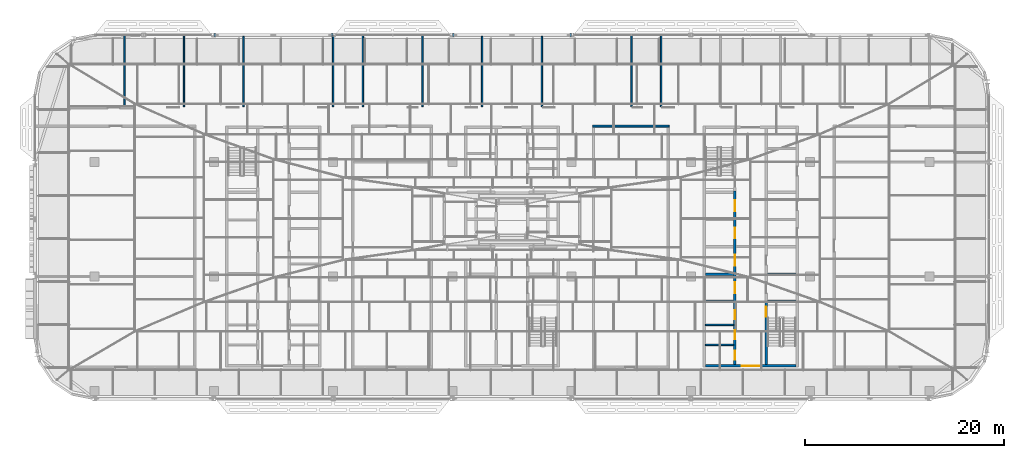
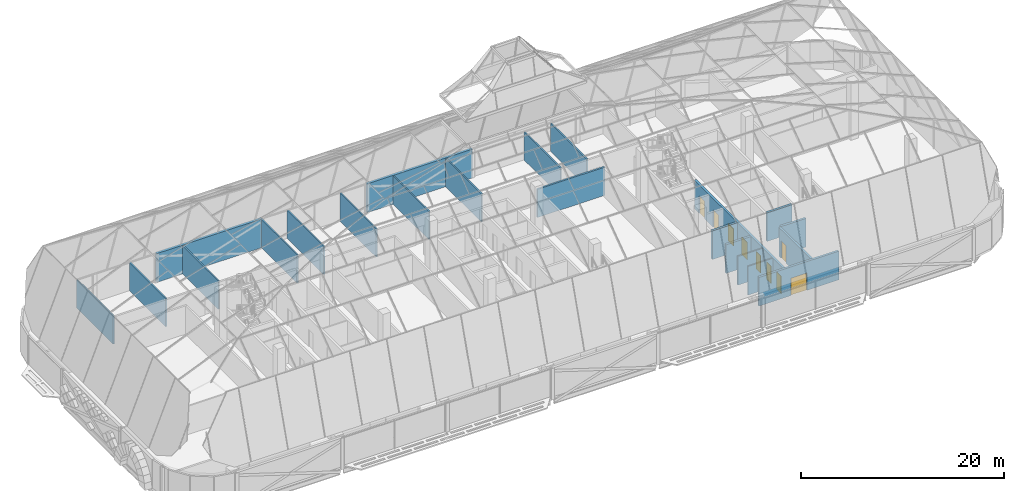
# One storey, part 27 of 39: 22 walls, 9 doors, 9 openings.
"""IFC4 building model written with IfcOpenShell, lengths in metres."""

from ifc_helpers import new_model, si_unit, direction, frame, frame_2d, origin, place, context, subcontext, project, spatial, rectangle, extrude, material, layer, layer_set, type_object, element, fill, save


model = new_model("IFC4")

# Units and contexts
model_context = context("Model", 3, precision=1e-05, world=origin(), true_north=direction((0.0, 1.0)))
body_context = subcontext(model_context, "Body", "Model", "MODEL_VIEW")
ifc_project = project(units=[si_unit("LENGTHUNIT", "METRE"), si_unit("AREAUNIT", "SQUARE_METRE"), si_unit("VOLUMEUNIT", "CUBIC_METRE"), si_unit("PLANEANGLEUNIT", "RADIAN"), si_unit("MASSUNIT", "GRAM", prefix="KILO")], contexts=[model_context])

# Site, building, storey
site_placement = place(None, origin())
site = spatial("IfcSite", under=ifc_project, at=site_placement, CompositionType="ELEMENT")
building_placement = place(site_placement, origin())
building = spatial("IfcBuilding", under=site, at=building_placement, Name="Mahtab Terrace Research Tower", CompositionType="ELEMENT")
storey_placement = place(building_placement, frame((0.0, 0.0, 282.300048828125)))
storey = spatial("IfcBuildingStorey", under=building, at=storey_placement, Name="L69", CompositionType="ELEMENT", Elevation=282.300048828125)

# Walls
ifc_material_1 = material(Name="Gypsum board partition")
ifc_layer_1 = layer(ifc_material_1, 0.14990234375)
ifc_layer_set_1 = layer_set([ifc_layer_1], Name="Core partition 150")
wall_type_1 = type_object("IfcWallType", Name="Core partition 150", PredefinedType="PARTITIONING", material=ifc_layer_set_1)
for number, where, z_axis, x_axis, name in (
    (1, (19.449951171875, -6.875, 0.0), (0.0, 0.0, 1.0), (1.0, 0.0, 0.0), "Core wall C pWS-988"),
    (2, (19.449951171875, -4.875, 0.0), (0.0, 0.0, 1.0), (1.0, 0.0, 0.0), "Core wall C pWS-788"),
):
    element("IfcWall", number, at=place(storey_placement, frame(where, z_axis=z_axis, x_axis=x_axis)), inside=storey, type_object=wall_type_1, Name=name, PredefinedType="PARTITIONING", context=body_context, shape_type="SweptSolid", body=[
        extrude(rectangle(XDim=2.85009765625, YDim=0.14990234375, at=frame_2d((1.425048828125, 0.0))), origin(), (0.0, 0.0, 1.0), 3.4599609375),
    ])

# Wall, opening, door
ifc_material_2 = material(Name="Concrete C70/85", Category="concrete")
ifc_layer_2 = layer(ifc_material_2, 0.25)
ifc_layer_set_2 = layer_set([ifc_layer_2], Name="Core wall 250")
wall_type_2 = type_object("IfcWallType", Name="Core wall 250", PredefinedType="SOLIDWALL", material=ifc_layer_set_2)
wall_1_placement = place(storey_placement, frame((28.550048828125, -9.0, 0.0), z_axis=(0.0, 0.0, 1.0), x_axis=(-1.0, 0.0, 0.0)))
wall_1 = element("IfcWall", 3, at=wall_1_placement, inside=storey, type_object=wall_type_2, Name="Core wall C endS", PredefinedType="SOLIDWALL", context=body_context, shape_type="SweptSolid", body=[
    extrude(rectangle(XDim=9.10009765625, YDim=0.25, at=frame_2d((4.550048828125, 0.0))), origin(), (0.0, 0.0, 1.0), 3.4599609375),
])
opening_1_placement = place(wall_1_placement, frame((3.64990234375, 0.0, 0.0)))
opening_1 = element("IfcOpeningElement", 4, at=opening_1_placement, cuts=wall_1, Name="Opening C-S1", PredefinedType="OPENING", context=body_context, shape_type="SweptSolid", body=[
    extrude(rectangle(XDim=1.800048828125, YDim=2.10009765625, at=frame_2d((0.89990234375, 1.050048828125))), frame((0.0, 0.135009765625, 0.0), z_axis=(0.0, -1.0, 0.0), x_axis=(1.0, 0.0, 0.0)), (0.0, 0.0, 1.0), 0.27001953125),
])
ifc_material_3 = material(Name="Steel fire door", Category="steel")
door_type_1 = type_object("IfcDoorType", Name="Lobby double door 1800x2100 1 HR", OperationType="DOUBLE_DOOR_SINGLE_SWING", PredefinedType="DOOR", material=ifc_material_3)
door_1_placement = place(opening_1_placement, origin())
door_1 = element("IfcDoor", 5, at=door_1_placement, inside=storey, type_object=door_type_1, Name="Core entrance door C S", OperationType="DOUBLE_DOOR_SINGLE_SWING", OverallHeight=2.10009765625, OverallWidth=1.800048828125, PredefinedType="DOOR", context=body_context, shape_type="SweptSolid", body=[
    extrude(rectangle(XDim=1.800048828125, YDim=2.10009765625, at=frame_2d((0.89990234375, 1.050048828125))), frame((0.0, 0.02490234375, 0.0), z_axis=(0.0, -1.0, 0.0), x_axis=(1.0, 0.0, 0.0)), (0.0, 0.0, 1.0), 0.050048828125),
])
fill(opening_1, door_1)

# Wall, openings, doors
wall_2_placement = place(storey_placement, frame((22.425048828125, -8.875, 0.0), z_axis=(0.0, 0.0, 1.0), x_axis=(0.0, 1.0, 0.0)))
wall_2 = element("IfcWall", 6, at=wall_2_placement, inside=storey, type_object=wall_type_2, Name="Core wall C innerWSL", PredefinedType="SOLIDWALL", context=body_context, shape_type="SweptSolid", body=[
    extrude(rectangle(XDim=17.5, YDim=0.25, at=frame_2d((8.75, 0.0))), origin(), (0.0, 0.0, 1.0), 3.4599609375),
])
opening_2_placement = place(wall_2_placement, frame((7.199951171875, 0.0, 0.0)))
opening_2 = element("IfcOpeningElement", 7, at=opening_2_placement, cuts=wall_2, Name="Opening LD17-L69", PredefinedType="OPENING", context=body_context, shape_type="SweptSolid", body=[
    extrude(rectangle(XDim=1.10009765625, YDim=2.10009765625, at=frame_2d((0.550048828125, 1.050048828125))), frame((0.0, 0.135009765625, 0.0), z_axis=(0.0, -1.0, 0.0), x_axis=(1.0, 0.0, 0.0)), (0.0, 0.0, 1.0), 0.27001953125),
])
opening_3_placement = place(wall_2_placement, frame((9.949951171875, 0.0, 0.0)))
opening_3 = element("IfcOpeningElement", 8, at=opening_3_placement, cuts=wall_2, Name="Opening LD18-L69", PredefinedType="OPENING", context=body_context, shape_type="SweptSolid", body=[
    extrude(rectangle(XDim=1.10009765625, YDim=2.10009765625, at=frame_2d((0.550048828125, 1.050048828125))), frame((0.0, 0.135009765625, 0.0), z_axis=(0.0, -1.0, 0.0), x_axis=(1.0, 0.0, 0.0)), (0.0, 0.0, 1.0), 0.27001953125),
])
opening_4_placement = place(wall_2_placement, frame((12.699951171875, 0.0, 0.0)))
opening_4 = element("IfcOpeningElement", 9, at=opening_4_placement, cuts=wall_2, Name="Opening LD19-L69", PredefinedType="OPENING", context=body_context, shape_type="SweptSolid", body=[
    extrude(rectangle(XDim=1.10009765625, YDim=2.10009765625, at=frame_2d((0.550048828125, 1.050048828125))), frame((0.0, 0.135009765625, 0.0), z_axis=(0.0, -1.0, 0.0), x_axis=(1.0, 0.0, 0.0)), (0.0, 0.0, 1.0), 0.27001953125),
])
opening_5_placement = place(wall_2_placement, frame((15.449951171875, 0.0, 0.0)))
opening_5 = element("IfcOpeningElement", 10, at=opening_5_placement, cuts=wall_2, Name="Opening LD20-L69", PredefinedType="OPENING", context=body_context, shape_type="SweptSolid", body=[
    extrude(rectangle(XDim=1.10009765625, YDim=2.10009765625, at=frame_2d((0.550048828125, 1.050048828125))), frame((0.0, 0.135009765625, 0.0), z_axis=(0.0, -1.0, 0.0), x_axis=(1.0, 0.0, 0.0)), (0.0, 0.0, 1.0), 0.27001953125),
])
opening_6_placement = place(wall_2_placement, frame((0.512451171875, 0.0, 0.0)))
opening_6 = element("IfcOpeningElement", 11, at=opening_6_placement, cuts=wall_2, Name="Opening C-R4", PredefinedType="OPENING", context=body_context, shape_type="SweptSolid", body=[
    extrude(rectangle(XDim=0.89990234375, YDim=2.10009765625, at=frame_2d((0.449951171875, 1.050048828125))), frame((0.0, 0.135009765625, 0.0), z_axis=(0.0, -1.0, 0.0), x_axis=(1.0, 0.0, 0.0)), (0.0, 0.0, 1.0), 0.27001953125),
])
opening_7_placement = place(wall_2_placement, frame((2.550048828125, 0.0, 0.0)))
opening_7 = element("IfcOpeningElement", 12, at=opening_7_placement, cuts=wall_2, Name="Opening C-R5", PredefinedType="OPENING", context=body_context, shape_type="SweptSolid", body=[
    extrude(rectangle(XDim=0.89990234375, YDim=2.10009765625, at=frame_2d((0.449951171875, 1.050048828125))), frame((0.0, 0.135009765625, 0.0), z_axis=(0.0, -1.0, 0.0), x_axis=(1.0, 0.0, 0.0)), (0.0, 0.0, 1.0), 0.27001953125),
])
opening_8_placement = place(wall_2_placement, frame((4.58740234375, 0.0, 0.0)))
opening_8 = element("IfcOpeningElement", 13, at=opening_8_placement, cuts=wall_2, Name="Opening C-R6", PredefinedType="OPENING", context=body_context, shape_type="SweptSolid", body=[
    extrude(rectangle(XDim=0.89990234375, YDim=2.10009765625, at=frame_2d((0.449951171875, 1.050048828125))), frame((0.0, 0.135009765625, 0.0), z_axis=(0.0, -1.0, 0.0), x_axis=(1.0, 0.0, 0.0)), (0.0, 0.0, 1.0), 0.27001953125),
])
ifc_material_4 = material(Name="Stainless steel AISI 304", Category="steel")
door_type_2 = type_object("IfcDoorType", Name="Landing door 1100x2100", OperationType="DOUBLE_DOOR_SLIDING", PredefinedType="DOOR", material=ifc_material_4)
door_2_placement = place(opening_2_placement, origin())
door_2 = element("IfcDoor", 14, at=door_2_placement, inside=storey, type_object=door_type_2, Name="Landing door SV1 L69", OperationType="DOUBLE_DOOR_SLIDING", OverallHeight=2.10009765625, OverallWidth=1.10009765625, PredefinedType="DOOR", context=body_context, shape_type="SweptSolid", body=[
    extrude(rectangle(XDim=1.10009765625, YDim=2.10009765625, at=frame_2d((0.550048828125, 1.050048828125))), frame((0.0, 0.02490234375, 0.0), z_axis=(0.0, -1.0, 0.0), x_axis=(1.0, 0.0, 0.0)), (0.0, 0.0, 1.0), 0.050048828125),
])
fill(opening_2, door_2)
door_3_placement = place(opening_3_placement, origin())
door_3 = element("IfcDoor", 15, at=door_3_placement, inside=storey, type_object=door_type_2, Name="Landing door SV2 L69", OperationType="DOUBLE_DOOR_SLIDING", OverallHeight=2.10009765625, OverallWidth=1.10009765625, PredefinedType="DOOR", context=body_context, shape_type="SweptSolid", body=[
    extrude(rectangle(XDim=1.10009765625, YDim=2.10009765625, at=frame_2d((0.550048828125, 1.050048828125))), frame((0.0, 0.02490234375, 0.0), z_axis=(0.0, -1.0, 0.0), x_axis=(1.0, 0.0, 0.0)), (0.0, 0.0, 1.0), 0.050048828125),
])
fill(opening_3, door_3)
door_4_placement = place(opening_4_placement, origin())
door_4 = element("IfcDoor", 16, at=door_4_placement, inside=storey, type_object=door_type_2, Name="Landing door FF1 L69", OperationType="DOUBLE_DOOR_SLIDING", OverallHeight=2.10009765625, OverallWidth=1.10009765625, PredefinedType="DOOR", context=body_context, shape_type="SweptSolid", body=[
    extrude(rectangle(XDim=1.10009765625, YDim=2.10009765625, at=frame_2d((0.550048828125, 1.050048828125))), frame((0.0, 0.02490234375, 0.0), z_axis=(0.0, -1.0, 0.0), x_axis=(1.0, 0.0, 0.0)), (0.0, 0.0, 1.0), 0.050048828125),
])
fill(opening_4, door_4)
door_5_placement = place(opening_5_placement, origin())
door_5 = element("IfcDoor", 17, at=door_5_placement, inside=storey, type_object=door_type_2, Name="Landing door FF2 L69", OperationType="DOUBLE_DOOR_SLIDING", OverallHeight=2.10009765625, OverallWidth=1.10009765625, PredefinedType="DOOR", context=body_context, shape_type="SweptSolid", body=[
    extrude(rectangle(XDim=1.10009765625, YDim=2.10009765625, at=frame_2d((0.550048828125, 1.050048828125))), frame((0.0, 0.02490234375, 0.0), z_axis=(0.0, -1.0, 0.0), x_axis=(1.0, 0.0, 0.0)), (0.0, 0.0, 1.0), 0.050048828125),
])
fill(opening_5, door_5)
door_type_3 = type_object("IfcDoorType", Name="Room door 900x2100 1 HR", OperationType="NOTDEFINED", PredefinedType="DOOR", material=ifc_material_3)
door_6_placement = place(opening_6_placement, origin())
door_6 = element("IfcDoor", 18, at=door_6_placement, inside=storey, type_object=door_type_3, Name="Male WC door", OperationType="SINGLE_SWING_RIGHT", OverallHeight=2.10009765625, OverallWidth=0.89990234375, PredefinedType="DOOR", context=body_context, shape_type="SweptSolid", body=[
    extrude(rectangle(XDim=0.89990234375, YDim=2.10009765625, at=frame_2d((0.449951171875, 1.050048828125))), frame((0.0, 0.02490234375, 0.0), z_axis=(0.0, -1.0, 0.0), x_axis=(1.0, 0.0, 0.0)), (0.0, 0.0, 1.0), 0.050048828125),
])
fill(opening_6, door_6)
door_7_placement = place(opening_7_placement, origin())
door_7 = element("IfcDoor", 19, at=door_7_placement, inside=storey, type_object=door_type_3, Name="Female WC door", OperationType="SINGLE_SWING_LEFT", OverallHeight=2.10009765625, OverallWidth=0.89990234375, PredefinedType="DOOR", context=body_context, shape_type="SweptSolid", body=[
    extrude(rectangle(XDim=0.89990234375, YDim=2.10009765625, at=frame_2d((0.449951171875, 1.050048828125))), frame((0.0, 0.02490234375, 0.0), z_axis=(0.0, -1.0, 0.0), x_axis=(1.0, 0.0, 0.0)), (0.0, 0.0, 1.0), 0.050048828125),
])
fill(opening_7, door_7)
door_8_placement = place(opening_8_placement, origin())
door_8 = element("IfcDoor", 20, at=door_8_placement, inside=storey, type_object=door_type_3, Name="Accessible WC door", OperationType="SINGLE_SWING_RIGHT", OverallHeight=2.10009765625, OverallWidth=0.89990234375, PredefinedType="DOOR", context=body_context, shape_type="SweptSolid", body=[
    extrude(rectangle(XDim=0.89990234375, YDim=2.10009765625, at=frame_2d((0.449951171875, 1.050048828125))), frame((0.0, 0.02490234375, 0.0), z_axis=(0.0, -1.0, 0.0), x_axis=(1.0, 0.0, 0.0)), (0.0, 0.0, 1.0), 0.050048828125),
])
fill(opening_8, door_8)

# Wall, opening, door
wall_3_placement = place(storey_placement, frame((25.574951171875, -8.875, 0.0), z_axis=(0.0, 0.0, 1.0), x_axis=(0.0, 1.0, 0.0)))
wall_3 = element("IfcWall", 21, at=wall_3_placement, inside=storey, type_object=wall_type_2, Name="Core wall C innerES", PredefinedType="SOLIDWALL", context=body_context, shape_type="SweptSolid", body=[
    extrude(rectangle(XDim=6.25, YDim=0.25, at=frame_2d((3.125, 0.0))), origin(), (0.0, 0.0, 1.0), 3.4599609375),
])
opening_9_placement = place(wall_3_placement, frame((4.85009765625, 0.0, 0.0)))
opening_9 = element("IfcOpeningElement", 22, at=opening_9_placement, cuts=wall_3, Name="Opening C-ST4", PredefinedType="OPENING", context=body_context, shape_type="SweptSolid", body=[
    extrude(rectangle(XDim=1.0, YDim=2.10009765625, at=frame_2d((0.5, 1.050048828125))), frame((0.0, 0.135009765625, 0.0), z_axis=(0.0, -1.0, 0.0), x_axis=(1.0, 0.0, 0.0)), (0.0, 0.0, 1.0), 0.27001953125),
])
door_type_4 = type_object("IfcDoorType", Name="Stair door 1000x2100 1.5 HR", OperationType="NOTDEFINED", PredefinedType="DOOR", material=ifc_material_3)
door_9_placement = place(opening_9_placement, origin())
door_9 = element("IfcDoor", 23, at=door_9_placement, inside=storey, type_object=door_type_4, Name="Stair door ST4 L69", OperationType="SINGLE_SWING_RIGHT", OverallHeight=2.10009765625, OverallWidth=1.0, PredefinedType="DOOR", context=body_context, shape_type="SweptSolid", body=[
    extrude(rectangle(XDim=1.0, YDim=2.10009765625, at=frame_2d((0.5, 1.050048828125))), frame((0.0, 0.02490234375, 0.0), z_axis=(0.0, -1.0, 0.0), x_axis=(1.0, 0.0, 0.0)), (0.0, 0.0, 1.0), 0.050048828125),
])
fill(opening_9, door_9)

# Walls
for number, where, z_axis, x_axis, name in (
    (24, (19.449951171875, -2.5, 0.0), (0.0, 0.0, 1.0), (1.0, 0.0, 0.0), "Core wall C divW0"),
    (25, (19.449951171875, 0.25, 0.0), (0.0, 0.0, 1.0), (1.0, 0.0, 0.0), "Core wall C divW1"),
    (26, (25.699951171875, -2.5, 0.0), (0.0, 0.0, 1.0), (1.0, 0.0, 0.0), "Core wall C divE0"),
    (27, (25.699951171875, 0.25, 0.0), (0.0, 0.0, 1.0), (1.0, 0.0, 0.0), "Core wall C divE1"),
):
    element("IfcWall", number, at=place(storey_placement, frame(where, z_axis=z_axis, x_axis=x_axis)), inside=storey, type_object=wall_type_2, Name=name, PredefinedType="SOLIDWALL", context=body_context, shape_type="SweptSolid", body=[
        extrude(rectangle(XDim=2.85009765625, YDim=0.25, at=frame_2d((1.425048828125, 0.0))), origin(), (0.0, 0.0, 1.0), 3.4599609375),
    ])
ifc_material_5 = material(Name="Black aluminium cladding panel", Category="aluminium")
ifc_layer_3 = layer(ifc_material_5, 0.300048828125)
ifc_layer_set_3 = layer_set([ifc_layer_3], Name="Opaque facade wall 300")
wall_type_3 = type_object("IfcWallType", Name="Opaque facade wall 300", PredefinedType="NOTDEFINED", material=ifc_layer_set_3)
for number, where, z_axis, x_axis, name in (
    (28, (5.991455078125, 24.306884765625, 0.0), (0.0, 0.0, 1.0), (-1.0, 0.0, 0.0), "Opaque facade wall L69 N6"),
    (29, (-18.008544921875, 24.306884765625, 0.0), (0.0, 0.0, 1.0), (-1.0, 0.0, 0.0), "Opaque facade wall L69 N8"),
):
    element("IfcWall", number, at=place(storey_placement, frame(where, z_axis=z_axis, x_axis=x_axis)), inside=storey, type_object=wall_type_3, Name=name, PredefinedType="NOTDEFINED", context=body_context, shape_type="SweptSolid", body=[
        extrude(rectangle(XDim=11.98291015625, YDim=0.300048828125, at=frame_2d((5.991455078125, 0.0))), origin(), (0.0, 0.0, 1.0), 3.4599609375),
    ])
ifc_material_6 = material(Name="Gypsum board corridor wall on steel studs", Category="steel")
ifc_layer_4 = layer(ifc_material_6, 0.199951171875)
ifc_layer_set_4 = layer_set([ifc_layer_4], Name="WALL CORRIDOR 200")
wall_type_4 = type_object("IfcWallType", Name="WALL CORRIDOR 200", PredefinedType="PARTITIONING", material=ifc_layer_set_4)
wall_4_placement = place(storey_placement, frame((8.10009765625, 15.125, 0.0), z_axis=(0.0, 0.0, 1.0), x_axis=(1.0, 0.0, 0.0)))
element("IfcWall", 30, at=wall_4_placement, inside=storey, type_object=wall_type_4, Name="L69-W016", PredefinedType="PARTITIONING", context=body_context, shape_type="SweptSolid", body=[
    extrude(rectangle(XDim=7.699951171875, YDim=0.199951171875, at=frame_2d((3.85009765625, 0.0))), origin(), (0.0, 0.0, 1.0), 3.39990234375),
])
ifc_material_7 = material(Name="Gypsum board partition on steel studs", Category="steel")
ifc_layer_5 = layer(ifc_material_7, 0.14990234375)
ifc_layer_set_5 = layer_set([ifc_layer_5], Name="WALL PARTITION 150")
wall_type_5 = type_object("IfcWallType", Name="WALL PARTITION 150", PredefinedType="PARTITIONING", material=ifc_layer_set_5)
for number, where, z_axis, x_axis, name in (
    (31, (-39.0, 17.10009765625, 0.0), (0.0, 0.0, 1.0), (0.0, 1.0, 0.0), "L69-W019"),
    (32, (-33.0, 17.10009765625, 0.0), (0.0, 0.0, 1.0), (0.0, 1.0, 0.0), "L69-W020"),
):
    element("IfcWall", number, at=place(storey_placement, frame(where, z_axis=z_axis, x_axis=x_axis)), inside=storey, type_object=wall_type_5, Name=name, PredefinedType="PARTITIONING", context=body_context, shape_type="SweptSolid", body=[
        extrude(rectangle(XDim=7.181884765625, YDim=0.14990234375, at=frame_2d((3.5908203125, 0.0))), origin(), (0.0, 0.0, 1.0), 3.39990234375),
    ])
wall_5_placement = place(storey_placement, frame((-27.0, 17.10009765625, 0.0), z_axis=(0.0, 0.0, 1.0), x_axis=(0.0, 1.0, 0.0)))
element("IfcWall", 33, at=wall_5_placement, inside=storey, type_object=wall_type_5, Name="L69-W022", PredefinedType="PARTITIONING", context=body_context, shape_type="SweptSolid", body=[
    extrude(rectangle(XDim=7.056884765625, YDim=0.14990234375, at=frame_2d((3.5283203125, 0.0))), origin(), (0.0, 0.0, 1.0), 3.39990234375),
])
for number, where, z_axis, x_axis, name in (
    (34, (-18.0, 17.10009765625, 0.0), (0.0, 0.0, 1.0), (0.0, 1.0, 0.0), "L69-W023"),
    (35, (-15.0, 17.10009765625, 0.0), (0.0, 0.0, 1.0), (0.0, 1.0, 0.0), "L69-W025"),
    (36, (-9.0, 17.10009765625, 0.0), (0.0, 0.0, 1.0), (0.0, 1.0, 0.0), "L69-W026"),
):
    element("IfcWall", number, at=place(storey_placement, frame(where, z_axis=z_axis, x_axis=x_axis)), inside=storey, type_object=wall_type_5, Name=name, PredefinedType="PARTITIONING", context=body_context, shape_type="SweptSolid", body=[
        extrude(rectangle(XDim=7.181884765625, YDim=0.14990234375, at=frame_2d((3.5908203125, 0.0))), origin(), (0.0, 0.0, 1.0), 3.39990234375),
    ])
for number, where, z_axis, x_axis, name in (
    (37, (-3.0, 17.10009765625, 0.0), (0.0, 0.0, 1.0), (0.0, 1.0, 0.0), "L69-W028"),
    (38, (3.0, 17.10009765625, 0.0), (0.0, 0.0, 1.0), (0.0, 1.0, 0.0), "L69-W029"),
):
    element("IfcWall", number, at=place(storey_placement, frame(where, z_axis=z_axis, x_axis=x_axis)), inside=storey, type_object=wall_type_5, Name=name, PredefinedType="PARTITIONING", context=body_context, shape_type="SweptSolid", body=[
        extrude(rectangle(XDim=7.056884765625, YDim=0.14990234375, at=frame_2d((3.5283203125, 0.0))), origin(), (0.0, 0.0, 1.0), 3.39990234375),
    ])
for number, where, z_axis, x_axis, name in (
    (39, (12.0, 17.10009765625, 0.0), (0.0, 0.0, 1.0), (0.0, 1.0, 0.0), "L69-W031"),
    (40, (15.0, 17.10009765625, 0.0), (0.0, 0.0, 1.0), (0.0, 1.0, 0.0), "L69-W032"),
):
    element("IfcWall", number, at=place(storey_placement, frame(where, z_axis=z_axis, x_axis=x_axis)), inside=storey, type_object=wall_type_5, Name=name, PredefinedType="PARTITIONING", context=body_context, shape_type="SweptSolid", body=[
        extrude(rectangle(XDim=7.181884765625, YDim=0.14990234375, at=frame_2d((3.5908203125, 0.0))), origin(), (0.0, 0.0, 1.0), 3.39990234375),
    ])

save(model, "model.ifc")
